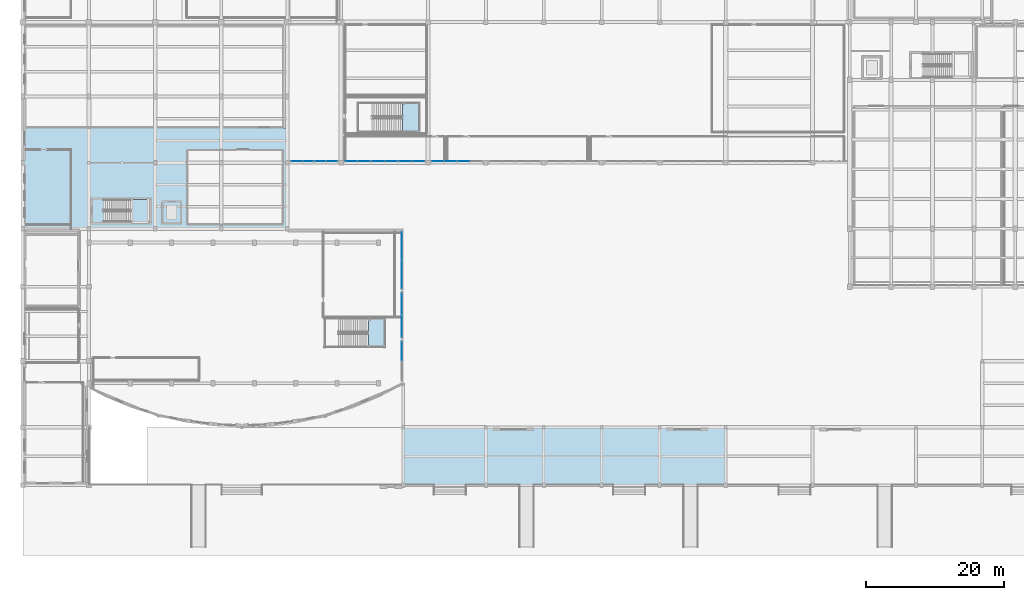
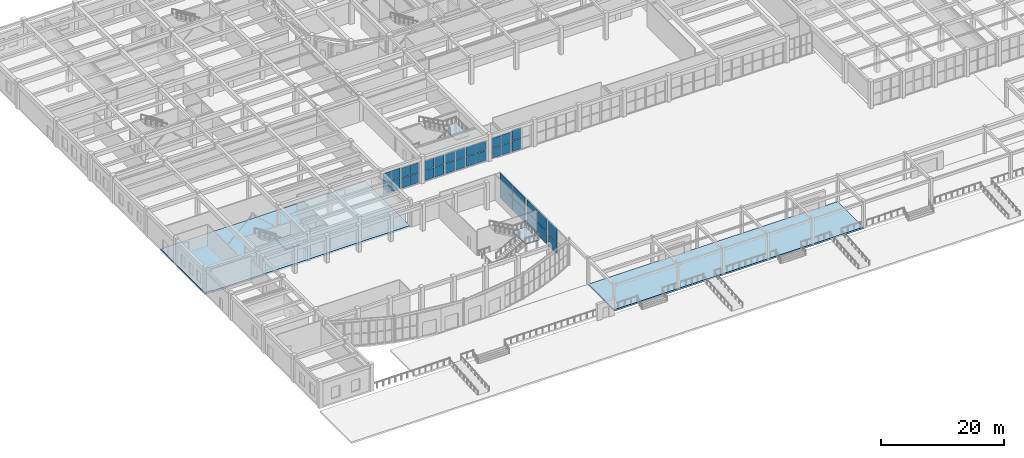
# One storey, part 59 of 98: 36 plates, 5 slabs, 13 elements without a shape of their own.
"""IFC4 building model written with IfcOpenShell, lengths in metres."""

from ifc_helpers import new_model, si_unit, direction, frame, origin, origin_2d, place, context, subcontext, project, spatial, polyline, rectangle, outline, extrude, material, layer, layer_set, type_object, element, aggregate, save


model = new_model("IFC4")

# Units and contexts
model_context = context("Model", 3, precision=1e-05, world=origin(), true_north=direction((0.0, 1.0)))
body_context = subcontext(model_context, "Body", "Model", "MODEL_VIEW")
ifc_project = project(units=[si_unit("LENGTHUNIT", "METRE"), si_unit("AREAUNIT", "SQUARE_METRE"), si_unit("VOLUMEUNIT", "CUBIC_METRE"), si_unit("PLANEANGLEUNIT", "RADIAN"), si_unit("MASSUNIT", "GRAM", prefix="KILO")], contexts=[model_context])

# Site, building, storey
site_placement = place(None, origin())
site = spatial("IfcSite", under=ifc_project, at=site_placement, CompositionType="ELEMENT")
building_placement = place(site_placement, origin())
building = spatial("IfcBuilding", under=site, at=building_placement, Name="Tarnavel Promenade Courthouse", CompositionType="ELEMENT")
storey_placement = place(building_placement, origin())
storey = spatial("IfcBuildingStorey", under=building, at=storey_placement, Name="L01", CompositionType="ELEMENT", Elevation=0.0)

# Slab
ifc_material_1 = material(Name="Concrete C35/45", Category="concrete")
ifc_layer_1 = layer(ifc_material_1, 0.320068359375)
ifc_layer_set_1 = layer_set([ifc_layer_1], Name="Concrete C35/45")
slab_type_1 = type_object("IfcSlabType", Name="Concrete C35/45 SLB-COL-320 (320 mm)", PredefinedType="FLOOR", material=ifc_layer_set_1)
slab_1_placement = place(storey_placement, frame((0.0, 0.0, -0.320068359375)))
element("IfcSlab", 1, at=slab_1_placement, inside=storey, type_object=slab_type_1, Name="L01 South Promenade Colonnade Walkway West", PredefinedType="FLOOR", context=body_context, shape_type="SweptSolid", body=[
    extrude(outline(polyline([(55.219970703125, 0.0), (101.97998046875, 0.0), (101.97998046875, 8.39990234375), (55.219970703125, 8.39990234375), (55.219970703125, 0.0)])), origin(), (0.0, 0.0, 1.0), 0.320068359375),
])

# Stair, slab
stair_type_1 = type_object("IfcStairType", Name="Concrete C35/45 Half-Turn Stair STR-20 (2000W-310G-30R)", PredefinedType="HALF_TURN_STAIR", material=ifc_material_1)
stair_1_placement = place(storey_placement, origin())
stair_1 = element("IfcStair", 2, at=stair_1_placement, inside=storey, type_object=stair_type_1, Name="L01 Public Hall Gallery Stair", PredefinedType="HALF_TURN_STAIR")
ifc_layer_2 = layer(ifc_material_1, 0.195068359375)
ifc_layer_set_2 = layer_set([ifc_layer_2], Name="Concrete C35/45")
slab_type_2 = type_object("IfcSlabType", Name="Concrete C35/45 Stair Landing SLB-LND-195 (195 mm)", PredefinedType="LANDING", material=ifc_layer_set_2)
slab_2_placement = place(storey_placement, frame((0.0, 0.0, 2.5)))
slab_2 = element("IfcSlab", 3, at=slab_2_placement, type_object=slab_type_2, Name="ST-09 landing 1", PredefinedType="LANDING", context=body_context, shape_type="SweptSolid", body=[
    extrude(outline(polyline([(50.139892578125, 20.0), (52.60009765625, 20.0), (52.60009765625, 24.199951171875), (50.139892578125, 24.199951171875), (50.139892578125, 20.0)])), origin(), (0.0, 0.0, 1.0), 0.199951171875),
])
aggregate(stair_1, [slab_2])

stair_type_2 = type_object("IfcStairType", Name="Concrete C35/45 Half-Turn Stair STR-22 (2050W-320G-30R)", PredefinedType="HALF_TURN_STAIR", material=ifc_material_1)
stair_2_placement = place(storey_placement, origin())
stair_2 = element("IfcStair", 4, at=stair_2_placement, inside=storey, type_object=stair_type_2, Name="L01 Winter-Garden Concourse Monumental Stair", PredefinedType="HALF_TURN_STAIR")
slab_3_placement = place(storey_placement, frame((0.0, 0.0, 2.5)))
slab_3 = element("IfcSlab", 5, at=slab_3_placement, type_object=slab_type_2, Name="ST-10 landing 1", PredefinedType="LANDING", context=body_context, shape_type="SweptSolid", body=[
    extrude(outline(polyline([(55.1298828125, 51.199951171875), (57.60009765625, 51.199951171875), (57.60009765625, 55.5), (55.1298828125, 55.5), (55.1298828125, 51.199951171875)])), origin(), (0.0, 0.0, 1.0), 0.199951171875),
])
aggregate(stair_2, [slab_3])

stair_type_3 = type_object("IfcStairType", Name="Concrete C35/45 Half-Turn Stair STR-13 (1520W-280G-30R)", PredefinedType="HALF_TURN_STAIR", material=ifc_material_1)
stair_3_placement = place(storey_placement, origin())
stair_3 = element("IfcStair", 6, at=stair_3_placement, inside=storey, type_object=stair_type_3, Name="L01 Law Library Exit Stair", PredefinedType="HALF_TURN_STAIR")
ifc_layer_3 = layer(ifc_material_1, 0.205078125)
ifc_layer_set_3 = layer_set([ifc_layer_3], Name="Concrete C35/45")
slab_type_3 = type_object("IfcSlabType", Name="Concrete C35/45 Stair Landing SLB-LND-205 (205 mm)", PredefinedType="LANDING", material=ifc_layer_set_3)
slab_4_placement = place(storey_placement, frame((0.0, 0.0, 2.5)))
slab_4 = element("IfcSlab", 7, at=slab_4_placement, type_object=slab_type_3, Name="ST-05 landing 1", PredefinedType="LANDING", context=body_context, shape_type="SweptSolid", body=[
    extrude(outline(polyline([(15.639892578125, 38.199951171875), (18.39990234375, 38.199951171875), (18.39990234375, 41.43994140625), (15.639892578125, 41.43994140625), (15.639892578125, 38.199951171875)])), origin(), (0.0, 0.0, 1.0), 0.199951171875),
])
aggregate(stair_3, [slab_4])

# Slab
ifc_material_2 = material(Name="Concrete C40/50", Category="concrete")
ifc_layer_4 = layer(ifc_material_2, 0.340087890625)
ifc_layer_set_4 = layer_set([ifc_layer_4], Name="Concrete C40/50")
slab_type_4 = type_object("IfcSlabType", Name="Concrete C40/50 SLB-ARC-340 (340 mm)", PredefinedType="FLOOR", material=ifc_layer_set_4)
slab_5_placement = place(storey_placement, frame((0.0, 0.0, -0.340087890625)))
element("IfcSlab", 8, at=slab_5_placement, inside=storey, type_object=slab_type_4, Name="L01 Law Library S Heavy Stack Slab", PredefinedType="FLOOR", context=body_context, shape_type="SweptSolid", body=[
    extrude(outline(polyline([(0.0, 37.39990234375), (1.39990234375, 37.39990234375), (1.39990234375, 37.239990234375), (38.3798828125, 37.239990234375), (38.3798828125, 51.800048828125), (0.0, 51.800048828125), (0.0, 37.39990234375)])), origin(), (0.0, 0.0, 1.0), 0.340087890625),
])

# Curtain wall, plates
ifc_material_3 = material(Name="Thermally Broken Anodised Aluminium Curtain Wall System", Category="aluminium")
ifc_layer_5 = layer(ifc_material_3, 0.219970703125)
ifc_layer_set_5 = layer_set([ifc_layer_5], Name="Thermally Broken Anodised Aluminium Curtain Wall System")
curtain_wall_type_1 = type_object("IfcCurtainWallType", Name="Thermally Broken Aluminium Triple-Glazed Curtain Wall CW-DRUM", PredefinedType="NOTDEFINED", material=ifc_layer_set_5)
curtain_wall_1_placement = place(storey_placement, origin())
curtain_wall_1 = element("IfcCurtainWall", 9, at=curtain_wall_1_placement, inside=storey, type_object=curtain_wall_type_1, Name="L01 Public Drum East Return Curtain Wall 009", PredefinedType="NOTDEFINED")
ifc_material_4 = material(Name="Triple Low-E Argon Insulated Glazing", Category="glass")
ifc_layer_6 = layer(ifc_material_4, 0.048095703125)
ifc_layer_set_6 = layer_set([ifc_layer_6], Name="Triple Low-E Argon Insulated Glazing")
plate_type_1 = type_object("IfcPlateType", Name="Triple Low-E Argon Insulated Glazing Unit CWP-48 (48 mm)", PredefinedType="CURTAIN_PANEL", material=ifc_layer_set_6)
plate_1_placement = place(storey_placement, frame((54.97998046875, 19.52001953125, 0.080078125), z_axis=(0.0, 0.0, 1.0), x_axis=(0.0, 1.0, 0.0)))
plate_1 = element("IfcPlate", 10, at=plate_1_placement, type_object=plate_type_1, Name="CW-01 panel 2.1", PredefinedType="CURTAIN_PANEL", context=body_context, shape_type="SweptSolid", body=[
    extrude(rectangle(XDim=2.780029296875, YDim=0.048095703125, at=origin_2d()), origin(), (0.0, 0.0, 1.0), 2.43994140625),
])
plate_2_placement = place(storey_placement, frame((54.97998046875, 19.52001953125, 2.60009765625), z_axis=(0.0, 0.0, 1.0), x_axis=(0.0, 1.0, 0.0)))
plate_2 = element("IfcPlate", 11, at=plate_2_placement, type_object=plate_type_1, Name="CW-01 panel 2.2", PredefinedType="CURTAIN_PANEL", context=body_context, shape_type="SweptSolid", body=[
    extrude(rectangle(XDim=2.780029296875, YDim=0.048095703125, at=origin_2d()), origin(), (0.0, 0.0, 1.0), 2.43994140625),
])
aggregate(curtain_wall_1, [plate_1, plate_2])

curtain_wall_2_placement = place(storey_placement, origin())
curtain_wall_2 = element("IfcCurtainWall", 12, at=curtain_wall_2_placement, inside=storey, type_object=curtain_wall_type_1, Name="L01 Public Drum East Return Curtain Wall 010", PredefinedType="NOTDEFINED")
plate_3_placement = place(storey_placement, frame((54.97998046875, 23.072509765625, 0.080078125), z_axis=(0.0, 0.0, 1.0), x_axis=(0.0, 1.0, 0.0)))
plate_3 = element("IfcPlate", 13, at=plate_3_placement, type_object=plate_type_1, Name="CW-01 panel 1.1", PredefinedType="CURTAIN_PANEL", context=body_context, shape_type="SweptSolid", body=[
    extrude(rectangle(XDim=3.1650390625, YDim=0.048095703125, at=origin_2d()), origin(), (0.0, 0.0, 1.0), 2.43994140625),
])
plate_4_placement = place(storey_placement, frame((54.97998046875, 23.072509765625, 2.60009765625), z_axis=(0.0, 0.0, 1.0), x_axis=(0.0, 1.0, 0.0)))
plate_4 = element("IfcPlate", 14, at=plate_4_placement, type_object=plate_type_1, Name="CW-01 panel 1.2", PredefinedType="CURTAIN_PANEL", context=body_context, shape_type="SweptSolid", body=[
    extrude(rectangle(XDim=3.1650390625, YDim=0.048095703125, at=origin_2d()), origin(), (0.0, 0.0, 1.0), 2.43994140625),
])
plate_5_placement = place(storey_placement, frame((54.97998046875, 26.327392578125, 0.080078125), z_axis=(0.0, 0.0, 1.0), x_axis=(0.0, 1.0, 0.0)))
plate_5 = element("IfcPlate", 15, at=plate_5_placement, type_object=plate_type_1, Name="CW-01 panel 2.1", PredefinedType="CURTAIN_PANEL", context=body_context, shape_type="SweptSolid", body=[
    extrude(rectangle(XDim=3.1650390625, YDim=0.048095703125, at=origin_2d()), origin(), (0.0, 0.0, 1.0), 2.43994140625),
])
plate_6_placement = place(storey_placement, frame((54.97998046875, 26.327392578125, 2.60009765625), z_axis=(0.0, 0.0, 1.0), x_axis=(0.0, 1.0, 0.0)))
plate_6 = element("IfcPlate", 16, at=plate_6_placement, type_object=plate_type_1, Name="CW-01 panel 2.2", PredefinedType="CURTAIN_PANEL", context=body_context, shape_type="SweptSolid", body=[
    extrude(rectangle(XDim=3.1650390625, YDim=0.048095703125, at=origin_2d()), origin(), (0.0, 0.0, 1.0), 2.43994140625),
])
aggregate(curtain_wall_2, [plate_3, plate_4, plate_5, plate_6])

curtain_wall_3_placement = place(storey_placement, origin())
curtain_wall_3 = element("IfcCurtainWall", 17, at=curtain_wall_3_placement, inside=storey, type_object=curtain_wall_type_1, Name="L01 Public Drum East Return Curtain Wall 011", PredefinedType="NOTDEFINED")
plate_7_placement = place(storey_placement, frame((54.97998046875, 30.5224609375, 0.080078125), z_axis=(0.0, 0.0, 1.0), x_axis=(0.0, 1.0, 0.0)))
plate_7 = element("IfcPlate", 18, at=plate_7_placement, type_object=plate_type_1, Name="CW-01 panel 1.1", PredefinedType="CURTAIN_PANEL", context=body_context, shape_type="SweptSolid", body=[
    extrude(rectangle(XDim=4.06494140625, YDim=0.048095703125, at=origin_2d()), origin(), (0.0, 0.0, 1.0), 2.43994140625),
])
plate_8_placement = place(storey_placement, frame((54.97998046875, 30.5224609375, 2.60009765625), z_axis=(0.0, 0.0, 1.0), x_axis=(0.0, 1.0, 0.0)))
plate_8 = element("IfcPlate", 19, at=plate_8_placement, type_object=plate_type_1, Name="CW-01 panel 1.2", PredefinedType="CURTAIN_PANEL", context=body_context, shape_type="SweptSolid", body=[
    extrude(rectangle(XDim=4.06494140625, YDim=0.048095703125, at=origin_2d()), origin(), (0.0, 0.0, 1.0), 2.43994140625),
])
plate_9_placement = place(storey_placement, frame((54.97998046875, 34.677490234375, 0.080078125), z_axis=(0.0, 0.0, 1.0), x_axis=(0.0, 1.0, 0.0)))
plate_9 = element("IfcPlate", 20, at=plate_9_placement, type_object=plate_type_1, Name="CW-01 panel 2.1", PredefinedType="CURTAIN_PANEL", context=body_context, shape_type="SweptSolid", body=[
    extrude(rectangle(XDim=4.06494140625, YDim=0.048095703125, at=origin_2d()), origin(), (0.0, 0.0, 1.0), 2.43994140625),
])
plate_10_placement = place(storey_placement, frame((54.97998046875, 34.677490234375, 2.60009765625), z_axis=(0.0, 0.0, 1.0), x_axis=(0.0, 1.0, 0.0)))
plate_10 = element("IfcPlate", 21, at=plate_10_placement, type_object=plate_type_1, Name="CW-01 panel 2.2", PredefinedType="CURTAIN_PANEL", context=body_context, shape_type="SweptSolid", body=[
    extrude(rectangle(XDim=4.06494140625, YDim=0.048095703125, at=origin_2d()), origin(), (0.0, 0.0, 1.0), 2.43994140625),
])
aggregate(curtain_wall_3, [plate_7, plate_8, plate_9, plate_10])

ifc_layer_7 = layer(ifc_material_3, 0.239990234375)
ifc_layer_set_7 = layer_set([ifc_layer_7], Name="Thermally Broken Anodised Aluminium Curtain Wall System")
curtain_wall_type_2 = type_object("IfcCurtainWallType", Name="Thermally Broken Aluminium Triple-Glazed Curtain Wall CW-WG-S", PredefinedType="NOTDEFINED", material=ifc_layer_set_7)
curtain_wall_4_placement = place(storey_placement, origin())
curtain_wall_4 = element("IfcCurtainWall", 22, at=curtain_wall_4_placement, inside=storey, type_object=curtain_wall_type_2, Name="L01 Winter-Garden South Solar Curtain Wall 042", PredefinedType="NOTDEFINED")
ifc_layer_8 = layer(ifc_material_4, 0.053955078125)
ifc_layer_set_8 = layer_set([ifc_layer_8], Name="Triple Low-E Argon Insulated Glazing")
plate_type_2 = type_object("IfcPlateType", Name="Triple Low-E Argon Insulated Glazing Unit CWP-54 (54 mm)", PredefinedType="CURTAIN_PANEL", material=ifc_layer_set_8)
plate_11_placement = place(storey_placement, frame((39.7548828125, 47.0, 0.080078125), z_axis=(0.0, 0.0, 1.0), x_axis=(1.0, 0.0, 0.0)))
plate_11 = element("IfcPlate", 23, at=plate_11_placement, type_object=plate_type_2, Name="CW-02 panel 1.1", PredefinedType="CURTAIN_PANEL", context=body_context, shape_type="SweptSolid", body=[
    extrude(rectangle(XDim=1.550048828125, YDim=0.053955078125, at=origin_2d()), origin(), (0.0, 0.0, 1.0), 2.02001953125),
])
plate_12_placement = place(storey_placement, frame((39.7548828125, 47.0, 2.179931640625), z_axis=(0.0, 0.0, 1.0), x_axis=(1.0, 0.0, 0.0)))
plate_12 = element("IfcPlate", 24, at=plate_12_placement, type_object=plate_type_2, Name="CW-02 panel 1.2", PredefinedType="CURTAIN_PANEL", context=body_context, shape_type="SweptSolid", body=[
    extrude(rectangle(XDim=1.550048828125, YDim=0.053955078125, at=origin_2d()), origin(), (0.0, 0.0, 1.0), 2.02001953125),
])
plate_13_placement = place(storey_placement, frame((41.39501953125, 47.0, 0.080078125), z_axis=(0.0, 0.0, 1.0), x_axis=(1.0, 0.0, 0.0)))
plate_13 = element("IfcPlate", 25, at=plate_13_placement, type_object=plate_type_2, Name="CW-02 panel 2.1", PredefinedType="CURTAIN_PANEL", context=body_context, shape_type="SweptSolid", body=[
    extrude(rectangle(XDim=1.550048828125, YDim=0.053955078125, at=origin_2d()), origin(), (0.0, 0.0, 1.0), 2.02001953125),
])
plate_14_placement = place(storey_placement, frame((41.39501953125, 47.0, 2.179931640625), z_axis=(0.0, 0.0, 1.0), x_axis=(1.0, 0.0, 0.0)))
plate_14 = element("IfcPlate", 26, at=plate_14_placement, type_object=plate_type_2, Name="CW-02 panel 2.2", PredefinedType="CURTAIN_PANEL", context=body_context, shape_type="SweptSolid", body=[
    extrude(rectangle(XDim=1.550048828125, YDim=0.053955078125, at=origin_2d()), origin(), (0.0, 0.0, 1.0), 2.02001953125),
])
aggregate(curtain_wall_4, [plate_11, plate_12, plate_13, plate_14])

curtain_wall_5_placement = place(storey_placement, origin())
curtain_wall_5 = element("IfcCurtainWall", 27, at=curtain_wall_5_placement, inside=storey, type_object=curtain_wall_type_2, Name="L01 Winter-Garden South Solar Curtain Wall 043", PredefinedType="NOTDEFINED")
plate_15_placement = place(storey_placement, frame((43.205078125, 47.0, 0.080078125), z_axis=(0.0, 0.0, 1.0), x_axis=(1.0, 0.0, 0.0)))
plate_15 = element("IfcPlate", 28, at=plate_15_placement, type_object=plate_type_2, Name="CW-02 panel 1.1", PredefinedType="CURTAIN_PANEL", context=body_context, shape_type="SweptSolid", body=[
    extrude(rectangle(XDim=1.550048828125, YDim=0.053955078125, at=origin_2d()), origin(), (0.0, 0.0, 1.0), 1.945068359375),
])
plate_16_placement = place(storey_placement, frame((43.205078125, 47.0, 2.10498046875), z_axis=(0.0, 0.0, 1.0), x_axis=(1.0, 0.0, 0.0)))
plate_16 = element("IfcPlate", 29, at=plate_16_placement, type_object=plate_type_2, Name="CW-02 panel 1.2", PredefinedType="CURTAIN_PANEL", context=body_context, shape_type="SweptSolid", body=[
    extrude(rectangle(XDim=1.550048828125, YDim=0.053955078125, at=origin_2d()), origin(), (0.0, 0.0, 1.0), 1.945068359375),
])
plate_17_placement = place(storey_placement, frame((44.844970703125, 47.0, 0.080078125), z_axis=(0.0, 0.0, 1.0), x_axis=(1.0, 0.0, 0.0)))
plate_17 = element("IfcPlate", 30, at=plate_17_placement, type_object=plate_type_2, Name="CW-02 panel 2.1", PredefinedType="CURTAIN_PANEL", context=body_context, shape_type="SweptSolid", body=[
    extrude(rectangle(XDim=1.550048828125, YDim=0.053955078125, at=origin_2d()), origin(), (0.0, 0.0, 1.0), 1.945068359375),
])
plate_18_placement = place(storey_placement, frame((44.844970703125, 47.0, 2.10498046875), z_axis=(0.0, 0.0, 1.0), x_axis=(1.0, 0.0, 0.0)))
plate_18 = element("IfcPlate", 31, at=plate_18_placement, type_object=plate_type_2, Name="CW-02 panel 2.2", PredefinedType="CURTAIN_PANEL", context=body_context, shape_type="SweptSolid", body=[
    extrude(rectangle(XDim=1.550048828125, YDim=0.053955078125, at=origin_2d()), origin(), (0.0, 0.0, 1.0), 1.945068359375),
])
aggregate(curtain_wall_5, [plate_15, plate_16, plate_17, plate_18])

curtain_wall_6_placement = place(storey_placement, origin())
curtain_wall_6 = element("IfcCurtainWall", 32, at=curtain_wall_6_placement, inside=storey, type_object=curtain_wall_type_2, Name="L01 Winter-Garden South Solar Curtain Wall 044", PredefinedType="NOTDEFINED")
plate_19_placement = place(storey_placement, frame((47.66748046875, 47.0, 0.080078125), z_axis=(0.0, 0.0, 1.0), x_axis=(1.0, 0.0, 0.0)))
plate_19 = element("IfcPlate", 33, at=plate_19_placement, type_object=plate_type_2, Name="CW-02 panel 1.1", PredefinedType="CURTAIN_PANEL", context=body_context, shape_type="SweptSolid", body=[
    extrude(rectangle(XDim=1.77490234375, YDim=0.053955078125, at=origin_2d()), origin(), (0.0, 0.0, 1.0), 1.945068359375),
])
plate_20_placement = place(storey_placement, frame((47.66748046875, 47.0, 2.10498046875), z_axis=(0.0, 0.0, 1.0), x_axis=(1.0, 0.0, 0.0)))
plate_20 = element("IfcPlate", 34, at=plate_20_placement, type_object=plate_type_2, Name="CW-02 panel 1.2", PredefinedType="CURTAIN_PANEL", context=body_context, shape_type="SweptSolid", body=[
    extrude(rectangle(XDim=1.77490234375, YDim=0.053955078125, at=origin_2d()), origin(), (0.0, 0.0, 1.0), 1.945068359375),
])
plate_21_placement = place(storey_placement, frame((49.532470703125, 47.0, 0.080078125), z_axis=(0.0, 0.0, 1.0), x_axis=(1.0, 0.0, 0.0)))
plate_21 = element("IfcPlate", 35, at=plate_21_placement, type_object=plate_type_2, Name="CW-02 panel 2.1", PredefinedType="CURTAIN_PANEL", context=body_context, shape_type="SweptSolid", body=[
    extrude(rectangle(XDim=1.77490234375, YDim=0.053955078125, at=origin_2d()), origin(), (0.0, 0.0, 1.0), 1.945068359375),
])
plate_22_placement = place(storey_placement, frame((49.532470703125, 47.0, 2.10498046875), z_axis=(0.0, 0.0, 1.0), x_axis=(1.0, 0.0, 0.0)))
plate_22 = element("IfcPlate", 36, at=plate_22_placement, type_object=plate_type_2, Name="CW-02 panel 2.2", PredefinedType="CURTAIN_PANEL", context=body_context, shape_type="SweptSolid", body=[
    extrude(rectangle(XDim=1.77490234375, YDim=0.053955078125, at=origin_2d()), origin(), (0.0, 0.0, 1.0), 1.945068359375),
])
aggregate(curtain_wall_6, [plate_19, plate_20, plate_21, plate_22])

curtain_wall_7_placement = place(storey_placement, origin())
curtain_wall_7 = element("IfcCurtainWall", 37, at=curtain_wall_7_placement, inside=storey, type_object=curtain_wall_type_2, Name="L01 Winter-Garden South Solar Curtain Wall 045", PredefinedType="NOTDEFINED")
plate_23_placement = place(storey_placement, frame((51.5673828125, 47.0, 0.079833984375), z_axis=(0.0, 0.0, 1.0), x_axis=(1.0, 0.0, 0.0)))
plate_23 = element("IfcPlate", 38, at=plate_23_placement, type_object=plate_type_2, Name="CW-02 panel 1.1", PredefinedType="CURTAIN_PANEL", context=body_context, shape_type="SweptSolid", body=[
    extrude(rectangle(XDim=1.77490234375, YDim=0.053955078125, at=origin_2d()), origin(), (0.0, 0.0, 1.0), 1.9951171875),
])
plate_24_placement = place(storey_placement, frame((51.5673828125, 47.0, 2.155029296875), z_axis=(0.0, 0.0, 1.0), x_axis=(1.0, 0.0, 0.0)))
plate_24 = element("IfcPlate", 39, at=plate_24_placement, type_object=plate_type_2, Name="CW-02 panel 1.2", PredefinedType="CURTAIN_PANEL", context=body_context, shape_type="SweptSolid", body=[
    extrude(rectangle(XDim=1.77490234375, YDim=0.053955078125, at=origin_2d()), origin(), (0.0, 0.0, 1.0), 1.9951171875),
])
plate_25_placement = place(storey_placement, frame((53.4326171875, 47.0, 0.079833984375), z_axis=(0.0, 0.0, 1.0), x_axis=(1.0, 0.0, 0.0)))
plate_25 = element("IfcPlate", 40, at=plate_25_placement, type_object=plate_type_2, Name="CW-02 panel 2.1", PredefinedType="CURTAIN_PANEL", context=body_context, shape_type="SweptSolid", body=[
    extrude(rectangle(XDim=1.77490234375, YDim=0.053955078125, at=origin_2d()), origin(), (0.0, 0.0, 1.0), 1.9951171875),
])
plate_26_placement = place(storey_placement, frame((53.4326171875, 47.0, 2.155029296875), z_axis=(0.0, 0.0, 1.0), x_axis=(1.0, 0.0, 0.0)))
plate_26 = element("IfcPlate", 41, at=plate_26_placement, type_object=plate_type_2, Name="CW-02 panel 2.2", PredefinedType="CURTAIN_PANEL", context=body_context, shape_type="SweptSolid", body=[
    extrude(rectangle(XDim=1.77490234375, YDim=0.053955078125, at=origin_2d()), origin(), (0.0, 0.0, 1.0), 1.9951171875),
])
aggregate(curtain_wall_7, [plate_23, plate_24, plate_25, plate_26])

curtain_wall_8_placement = place(storey_placement, origin())
curtain_wall_8 = element("IfcCurtainWall", 42, at=curtain_wall_8_placement, inside=storey, type_object=curtain_wall_type_2, Name="L01 Winter-Garden South Solar Curtain Wall 046", PredefinedType="NOTDEFINED")
plate_27_placement = place(storey_placement, frame((55.467529296875, 47.0, 0.080078125), z_axis=(0.0, 0.0, 1.0), x_axis=(1.0, 0.0, 0.0)))
plate_27 = element("IfcPlate", 43, at=plate_27_placement, type_object=plate_type_2, Name="CW-02 panel 1.1", PredefinedType="CURTAIN_PANEL", context=body_context, shape_type="SweptSolid", body=[
    extrude(rectangle(XDim=1.77490234375, YDim=0.053955078125, at=origin_2d()), origin(), (0.0, 0.0, 1.0), 1.945068359375),
])
plate_28_placement = place(storey_placement, frame((55.467529296875, 47.0, 2.10498046875), z_axis=(0.0, 0.0, 1.0), x_axis=(1.0, 0.0, 0.0)))
plate_28 = element("IfcPlate", 44, at=plate_28_placement, type_object=plate_type_2, Name="CW-02 panel 1.2", PredefinedType="CURTAIN_PANEL", context=body_context, shape_type="SweptSolid", body=[
    extrude(rectangle(XDim=1.77490234375, YDim=0.053955078125, at=origin_2d()), origin(), (0.0, 0.0, 1.0), 1.945068359375),
])
plate_29_placement = place(storey_placement, frame((57.33251953125, 47.0, 0.080078125), z_axis=(0.0, 0.0, 1.0), x_axis=(1.0, 0.0, 0.0)))
plate_29 = element("IfcPlate", 45, at=plate_29_placement, type_object=plate_type_2, Name="CW-02 panel 2.1", PredefinedType="CURTAIN_PANEL", context=body_context, shape_type="SweptSolid", body=[
    extrude(rectangle(XDim=1.77490234375, YDim=0.053955078125, at=origin_2d()), origin(), (0.0, 0.0, 1.0), 1.945068359375),
])
plate_30_placement = place(storey_placement, frame((57.33251953125, 47.0, 2.10498046875), z_axis=(0.0, 0.0, 1.0), x_axis=(1.0, 0.0, 0.0)))
plate_30 = element("IfcPlate", 46, at=plate_30_placement, type_object=plate_type_2, Name="CW-02 panel 2.2", PredefinedType="CURTAIN_PANEL", context=body_context, shape_type="SweptSolid", body=[
    extrude(rectangle(XDim=1.77490234375, YDim=0.053955078125, at=origin_2d()), origin(), (0.0, 0.0, 1.0), 1.945068359375),
])
aggregate(curtain_wall_8, [plate_27, plate_28, plate_29, plate_30])

curtain_wall_9_placement = place(storey_placement, origin())
curtain_wall_9 = element("IfcCurtainWall", 47, at=curtain_wall_9_placement, inside=storey, type_object=curtain_wall_type_2, Name="L01 Winter-Garden South Solar Curtain Wall 047", PredefinedType="NOTDEFINED")
plate_31_placement = place(storey_placement, frame((60.22998046875, 47.0, 0.080078125), z_axis=(0.0, 0.0, 1.0), x_axis=(1.0, 0.0, 0.0)))
plate_31 = element("IfcPlate", 48, at=plate_31_placement, type_object=plate_type_2, Name="CW-02 panel 1.1", PredefinedType="CURTAIN_PANEL", context=body_context, shape_type="SweptSolid", body=[
    extrude(rectangle(XDim=1.699951171875, YDim=0.053955078125, at=origin_2d()), origin(), (0.0, 0.0, 1.0), 1.945068359375),
])
plate_32_placement = place(storey_placement, frame((60.22998046875, 47.0, 2.10498046875), z_axis=(0.0, 0.0, 1.0), x_axis=(1.0, 0.0, 0.0)))
plate_32 = element("IfcPlate", 49, at=plate_32_placement, type_object=plate_type_2, Name="CW-02 panel 1.2", PredefinedType="CURTAIN_PANEL", context=body_context, shape_type="SweptSolid", body=[
    extrude(rectangle(XDim=1.699951171875, YDim=0.053955078125, at=origin_2d()), origin(), (0.0, 0.0, 1.0), 1.945068359375),
])
plate_33_placement = place(storey_placement, frame((62.02001953125, 47.0, 0.080078125), z_axis=(0.0, 0.0, 1.0), x_axis=(1.0, 0.0, 0.0)))
plate_33 = element("IfcPlate", 50, at=plate_33_placement, type_object=plate_type_2, Name="CW-02 panel 2.1", PredefinedType="CURTAIN_PANEL", context=body_context, shape_type="SweptSolid", body=[
    extrude(rectangle(XDim=1.699951171875, YDim=0.053955078125, at=origin_2d()), origin(), (0.0, 0.0, 1.0), 1.945068359375),
])
plate_34_placement = place(storey_placement, frame((62.02001953125, 47.0, 2.10498046875), z_axis=(0.0, 0.0, 1.0), x_axis=(1.0, 0.0, 0.0)))
plate_34 = element("IfcPlate", 51, at=plate_34_placement, type_object=plate_type_2, Name="CW-02 panel 2.2", PredefinedType="CURTAIN_PANEL", context=body_context, shape_type="SweptSolid", body=[
    extrude(rectangle(XDim=1.699951171875, YDim=0.053955078125, at=origin_2d()), origin(), (0.0, 0.0, 1.0), 1.945068359375),
])
aggregate(curtain_wall_9, [plate_31, plate_32, plate_33, plate_34])

curtain_wall_10_placement = place(storey_placement, origin())
curtain_wall_10 = element("IfcCurtainWall", 52, at=curtain_wall_10_placement, inside=storey, type_object=curtain_wall_type_2, Name="L01 Winter-Garden South Solar Curtain Wall 048", PredefinedType="NOTDEFINED")
plate_35_placement = place(storey_placement, frame((63.97998046875, 47.0, 0.080078125), z_axis=(0.0, 0.0, 1.0), x_axis=(1.0, 0.0, 0.0)))
plate_35 = element("IfcPlate", 53, at=plate_35_placement, type_object=plate_type_2, Name="CW-02 panel 1.1", PredefinedType="CURTAIN_PANEL", context=body_context, shape_type="SweptSolid", body=[
    extrude(rectangle(XDim=1.699951171875, YDim=0.053955078125, at=origin_2d()), origin(), (0.0, 0.0, 1.0), 2.094970703125),
])
plate_36_placement = place(storey_placement, frame((63.97998046875, 47.0, 2.2548828125), z_axis=(0.0, 0.0, 1.0), x_axis=(1.0, 0.0, 0.0)))
plate_36 = element("IfcPlate", 54, at=plate_36_placement, type_object=plate_type_2, Name="CW-02 panel 1.2", PredefinedType="CURTAIN_PANEL", context=body_context, shape_type="SweptSolid", body=[
    extrude(rectangle(XDim=1.699951171875, YDim=0.053955078125, at=origin_2d()), origin(), (0.0, 0.0, 1.0), 2.094970703125),
])
aggregate(curtain_wall_10, [plate_35, plate_36])

save(model, "model.ifc")
